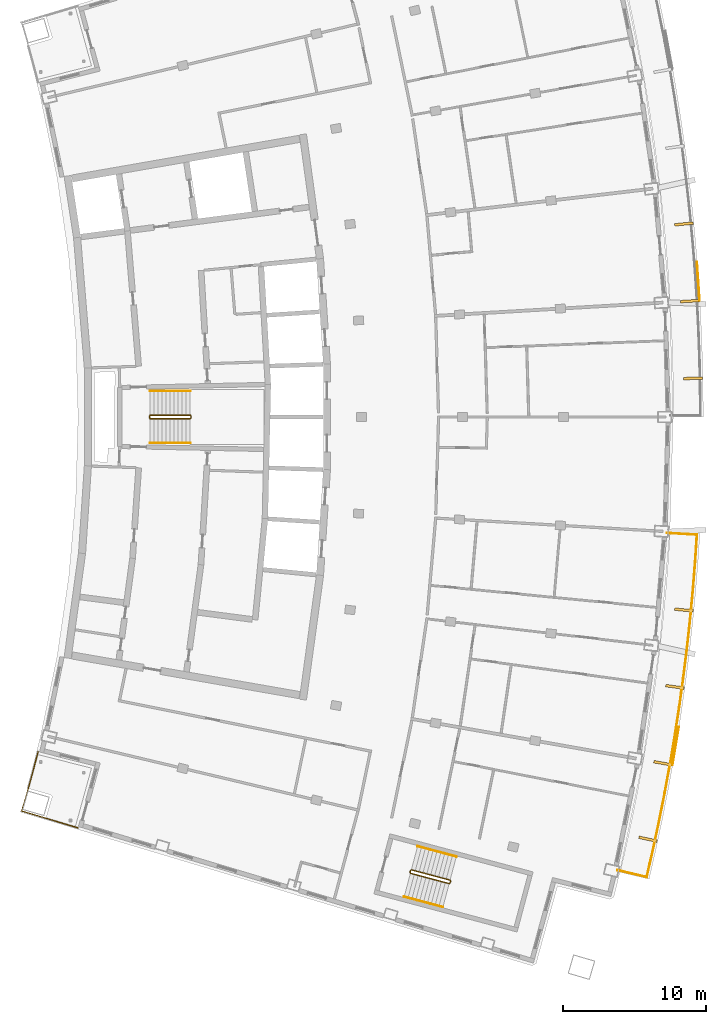
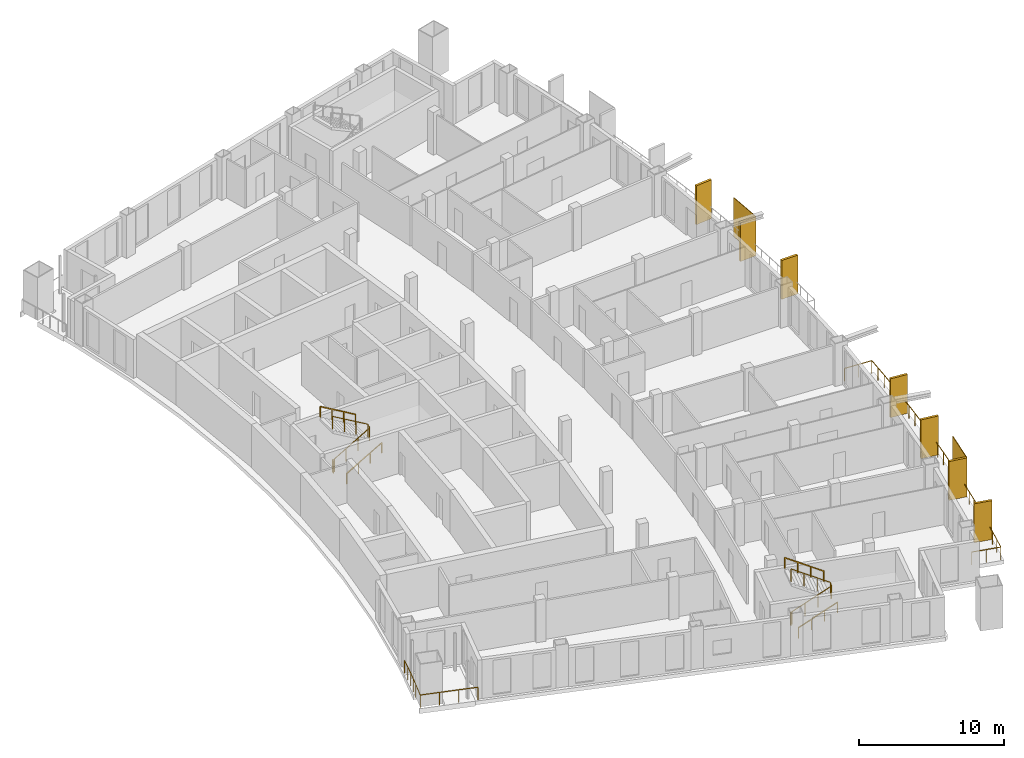
# One storey, part 14 of 15: 9 shading devices, 8 railings.
"""IFC4 building model written with IfcOpenShell, lengths in metres."""

import ifcopenshell
import ifcopenshell.guid

model = None  # the IFC model being written
_history = None  # IfcOwnerHistory: only IFC2X3 demands one
_inside = {}  # id of a spatial element -> (the spatial element, [elements in it])
_under = {}  # id of a project, library or spatial element -> (it, [spatial elements below it])
_declared = {}  # id of a project -> (the project, [libraries it declares])
_typed = {}  # id of a type object -> (the type object, [elements of that type])
_made_of = {}  # id of a material, layer set ... -> (it, [elements and type objects made of it])


def new_model(schema):
    """Start an empty IFC model of exactly this schema.

    Asked for "IFC4X3", IfcOpenShell would pick the latest addendum, in which some entities
    have other attributes; the version numbers below select the first issue.
    IFC2X3 requires an IfcOwnerHistory on every rooted entity: one is made here for all.
    """
    global model, _history
    if schema == "IFC4X3":
        model = ifcopenshell.file(schema_version=(4, 3, 0, 0))
    else:
        model = ifcopenshell.file(schema=schema)
    _inside.clear()
    _under.clear()
    _declared.clear()
    _typed.clear()
    _made_of.clear()
    _history = None
    if model.schema == "IFC2X3":
        org = make("IfcOrganization", Name="unknown")
        user = make(
            "IfcPersonAndOrganization",
            ThePerson=make("IfcPerson", FamilyName="unknown"),
            TheOrganization=org,
        )
        app = make(
            "IfcApplication",
            ApplicationDeveloper=org,
            Version="unknown",
            ApplicationFullName="unknown",
            ApplicationIdentifier="unknown",
        )
        _history = make(
            "IfcOwnerHistory",
            OwningUser=user,
            OwningApplication=app,
            ChangeAction="ADDED",
            CreationDate=0,
        )
    return model


def make(cls, **values):
    """One entity of the class cls with the attributes given. An attribute that is None is left unset."""
    return model.create_entity(
        cls, **{name: value for name, value in values.items() if value is not None}
    )


def rooted(cls, **values):
    """An entity with a GlobalId (a new one), such as an element, a storey or a relation."""
    return make(cls, GlobalId=ifcopenshell.guid.new(), OwnerHistory=_history, **values)


def si_unit(unit_type, name, prefix=None):
    """IfcSIUnit, for example si_unit("LENGTHUNIT", "METRE", prefix="MILLI")."""
    return make("IfcSIUnit", UnitType=unit_type, Prefix=prefix, Name=name)


def assignment(units):
    """IfcUnitAssignment: the units of a project."""
    return None if units is None else make("IfcUnitAssignment", Units=units)


def point(xyz):
    """IfcCartesianPoint."""
    return None if xyz is None else make("IfcCartesianPoint", Coordinates=xyz)


def direction(xyz):
    """IfcDirection."""
    return None if xyz is None else make("IfcDirection", DirectionRatios=xyz)


def frame(location, z_axis=None, x_axis=None):
    """IfcAxis2Placement3D, a coordinate frame: its origin and axes. An axis left out is left unset."""
    return make(
        "IfcAxis2Placement3D",
        Location=point(location),
        Axis=direction(z_axis),
        RefDirection=direction(x_axis),
    )


def frame_2d(location, x_axis=None):
    """IfcAxis2Placement2D, a coordinate frame in the plane: its origin and x axis."""
    return make(
        "IfcAxis2Placement2D", Location=point(location), RefDirection=direction(x_axis)
    )


def origin():
    """The frame at (0, 0, 0) with its axes left unset."""
    return frame((0.0, 0.0, 0.0))


def origin_with_axes():
    """The frame at (0, 0, 0) with the z axis (0, 0, 1) and the x axis (1, 0, 0) written out."""
    return frame((0.0, 0.0, 0.0), z_axis=(0.0, 0.0, 1.0), x_axis=(1.0, 0.0, 0.0))


def origin_2d():
    """The frame at (0, 0) in the plane with its x axis left unset."""
    return frame_2d((0.0, 0.0))


def place(relative_to, where):
    """IfcLocalPlacement: puts the frame where relative to a parent placement (None: the world)."""
    return make(
        "IfcLocalPlacement", PlacementRelTo=relative_to, RelativePlacement=where
    )


def context(
    kind, dimensions, precision=None, world=None, true_north=None, identifier=None
):
    """IfcGeometricRepresentationContext, for example the 3D "Model" context."""
    return make(
        "IfcGeometricRepresentationContext",
        ContextIdentifier=identifier,
        ContextType=kind,
        CoordinateSpaceDimension=dimensions,
        Precision=precision,
        WorldCoordinateSystem=world,
        TrueNorth=true_north,
    )


def subcontext(parent, identifier, kind, view, scale=None):
    """IfcGeometricRepresentationSubContext, for example "Body" below "Model"."""
    return make(
        "IfcGeometricRepresentationSubContext",
        ContextIdentifier=identifier,
        ContextType=kind,
        ParentContext=parent,
        TargetScale=scale,
        TargetView=view,
    )


def project(units=None, contexts=None):
    """IfcProject with its units and contexts."""
    return rooted(
        "IfcProject",
        Name="project",
        RepresentationContexts=contexts,
        UnitsInContext=assignment(units),
    )


def spatial(cls, under=None, at=None, **own):
    """A site, building, storey or space (cls), placed at a placement, below another one or the project."""
    s = rooted(cls, ObjectPlacement=at, **own)
    if under is not None:
        _under.setdefault(under.id(), (under, []))[1].append(s)
    return s


def profile(cls, at=None, kind="AREA", **sizes):
    """A parametric profile (cls). Its sizes go by their IFC names, for example OverallWidth=200.0."""
    return make(cls, ProfileType=kind, Position=at, **sizes)


def rectangle(**sizes):
    """IfcRectangleProfileDef."""
    return profile("IfcRectangleProfileDef", **sizes)


def extrude(swept, where, along, depth):
    """IfcExtrudedAreaSolid: the profile swept, set in the frame where, extruded along a direction by depth."""
    return make(
        "IfcExtrudedAreaSolid",
        SweptArea=swept,
        Position=where,
        ExtrudedDirection=direction(along),
        Depth=depth,
    )


def shape(context_of_items, identifier, shape_type, items):
    """IfcShapeRepresentation: the items that make up one representation, for example the "Body"."""
    return make(
        "IfcShapeRepresentation",
        ContextOfItems=context_of_items,
        RepresentationIdentifier=identifier,
        RepresentationType=shape_type,
        Items=items,
    )


def material(Name=None, Category=None):
    """IfcMaterial."""
    return make("IfcMaterial", Name=Name, Category=Category)


def layer(
    of_material, thickness, ventilated=None, Name=None, Category=None, Priority=None
):
    """IfcMaterialLayer: one layer of a wall or slab, of a material (None: an air gap)."""
    return make(
        "IfcMaterialLayer",
        Material=of_material,
        LayerThickness=thickness,
        IsVentilated=ventilated,
        Name=Name,
        Category=Category,
        Priority=Priority,
    )


def layer_set(layers, Name=None):
    """IfcMaterialLayerSet."""
    return make("IfcMaterialLayerSet", MaterialLayers=layers, LayerSetName=Name)


def made_of(thing, what):
    """Note that an element or type object is made of a material, layer set ...; save() writes the relation."""
    if what is not None:
        _made_of.setdefault(what.id(), (what, []))[1].append(thing)
    return thing


def type_object(cls, material=None, **own):
    """A type object (cls), such as IfcWallType, which elements share."""
    return made_of(rooted(cls, **own), material)


def element(
    cls,
    number,
    at=None,
    inside=None,
    cuts=None,
    type_object=None,
    material=None,
    context=None,
    identifier="Body",
    shape_type=None,
    held_by="IfcProductDefinitionShape",
    body=None,
    shapes=None,
    **own,
):
    """One element of the class cls, such as IfcWall. Its Tag is "e" and its number.

    at: its placement. inside: the storey or other place that contains it. cuts: it is an
    opening in that element (IfcRelVoidsElement). A single representation is given by context,
    identifier, shape_type and body (its items); several are given by shapes. held_by: the class
    of the entity that holds the representations. save() writes the other relations.
    """
    e = rooted(cls, Tag="e%d" % number, ObjectPlacement=at, **own)
    if body is not None:
        shapes = [shape(context, identifier, shape_type, body)]
    if shapes is not None:
        e.Representation = make(held_by, Representations=shapes)
    if inside is not None:
        _inside.setdefault(inside.id(), (inside, []))[1].append(e)
    if cuts is not None:
        rooted(
            "IfcRelVoidsElement", RelatingBuildingElement=cuts, RelatedOpeningElement=e
        )
    if type_object is not None:
        _typed.setdefault(type_object.id(), (type_object, []))[1].append(e)
    return made_of(e, material)


def aggregate(whole, parts):
    """IfcRelAggregates: a whole, such as a stair, and the parts it consists of."""
    return rooted("IfcRelAggregates", RelatingObject=whole, RelatedObjects=parts)


def save(model, path):
    """Write the relations noted so far, then the file.

    IfcRelAggregates (storeys below a building ...), IfcRelContainedInSpatialStructure (elements
    in a storey), IfcRelDefinesByType, IfcRelAssociatesMaterial and IfcRelDeclares: one each for
    every whole, place, type object, material and project.
    """
    for whole, parts in _under.values():
        aggregate(whole, parts)
    for where, things in _inside.values():
        rooted(
            "IfcRelContainedInSpatialStructure",
            RelatedElements=things,
            RelatingStructure=where,
        )
    for kind, things in _typed.values():
        rooted("IfcRelDefinesByType", RelatedObjects=things, RelatingType=kind)
    for what, things in _made_of.values():
        rooted("IfcRelAssociatesMaterial", RelatedObjects=things, RelatingMaterial=what)
    for by, libraries in _declared.values():
        rooted("IfcRelDeclares", RelatingContext=by, RelatedDefinitions=libraries)
    model.write(path)


model = new_model("IFC4")

# Units and contexts
model_context = context("Model", 3, precision=1e-05, world=origin(), true_north=direction((0.0, 1.0)))
body_context = subcontext(model_context, "Body", "Model", "MODEL_VIEW")
ifc_project = project(units=[si_unit("LENGTHUNIT", "METRE"), si_unit("AREAUNIT", "SQUARE_METRE"), si_unit("VOLUMEUNIT", "CUBIC_METRE"), si_unit("PLANEANGLEUNIT", "RADIAN"), si_unit("MASSUNIT", "GRAM", prefix="KILO")], contexts=[model_context])

# Site, building, storey
site_placement = place(None, origin())
site = spatial("IfcSite", under=ifc_project, at=site_placement, CompositionType="ELEMENT")
building_placement = place(site_placement, origin())
building = spatial("IfcBuilding", under=site, at=building_placement, Name="Alderwake Tower", CompositionType="ELEMENT")
storey_placement = place(building_placement, frame((0.0, 0.0, 249.199951171875)))
storey = spatial("IfcBuildingStorey", under=building, at=storey_placement, Name="L61", CompositionType="ELEMENT", Elevation=249.199951171875)

# Railings
ifc_material_1 = material(Name="Stainless steel 316 rail and posts", Category="steel")
railing_type_1 = type_object("IfcRailingType", Name="Balcony guard 1100", PredefinedType="GUARDRAIL", material=ifc_material_1)
railing_1_placement = place(storey_placement, frame((53.69921875, 29.325927734375, 0.0)))
element("IfcRailing", 1, at=railing_1_placement, inside=storey, type_object=railing_type_1, Name="Guard BF03", PredefinedType="GUARDRAIL", context=body_context, shape_type="SweptSolid", body=[
    extrude(rectangle(XDim=0.048095703125, YDim=0.048095703125, at=origin_2d()), frame((0.0, 0.0, 1.076171875), z_axis=(0.973069996158, -0.230509831846, 0.0), x_axis=(0.230509831846, 0.973069996158, 0.0)), (0.0, 0.0, 1.0), 2.100341796875),
    extrude(rectangle(XDim=0.048095703125, YDim=0.048095703125, at=origin_2d()), frame((2.043701171875, -0.484130859375, 1.076171875), z_axis=(0.223633448533, 0.974673319988, 0.0), x_axis=(-0.974673319988, 0.223633448533, 0.0)), (0.0, 0.0, 1.0), 1.9345703125),
    extrude(rectangle(XDim=0.048095703125, YDim=0.048095703125, at=origin_2d()), frame((2.476318359375, 1.4013671875, 1.076171875), z_axis=(0.209897885741, 0.977723313398, 0.0), x_axis=(-0.977723313398, 0.209897885741, 0.0)), (0.0, 0.0, 1.0), 2.034423828125),
    extrude(rectangle(XDim=0.048095703125, YDim=0.048095703125, at=origin_2d()), frame((2.9033203125, 3.390380859375, 1.076171875), z_axis=(0.195631417955, 0.980677494546, 0.0), x_axis=(-0.980677494546, 0.195631417955, 0.0)), (0.0, 0.0, 1.0), 2.0341796875),
    extrude(rectangle(XDim=0.048095703125, YDim=0.048095703125, at=origin_2d()), frame((3.30126953125, 5.38525390625, 1.076171875), z_axis=(0.181324306286, 0.983423355402, 0.0), x_axis=(-0.983423355402, 0.181324306286, 0.0)), (0.0, 0.0, 1.0), 2.034423828125),
    extrude(rectangle(XDim=0.048095703125, YDim=0.048095703125, at=origin_2d()), frame((3.670166015625, 7.385986328125, 1.076171875), z_axis=(0.166928302152, 0.985969037009, 0.0), x_axis=(-0.985969037009, 0.166928302152, 0.0)), (0.0, 0.0, 1.0), 2.034423828125),
    extrude(rectangle(XDim=0.048095703125, YDim=0.048095703125, at=origin_2d()), frame((4.009765625, 9.391845703125, 1.076171875), z_axis=(0.152535132968, 0.988298048774, 0.0), x_axis=(-0.988298048774, 0.152535132968, 0.0)), (0.0, 0.0, 1.0), 2.034423828125),
    extrude(rectangle(XDim=0.048095703125, YDim=0.048095703125, at=origin_2d()), frame((4.320068359375, 11.40234375, 1.076171875), z_axis=(0.138127592806, 0.990414442597, 0.0), x_axis=(-0.990414442597, 0.138127592806, 0.0)), (0.0, 0.0, 1.0), 2.034423828125),
    extrude(rectangle(XDim=0.048095703125, YDim=0.048095703125, at=origin_2d()), frame((4.60107421875, 13.417236328125, 1.076171875), z_axis=(0.123606393187, 0.992331325497, 0.0), x_axis=(-0.992331325497, 0.123606393187, 0.0)), (0.0, 0.0, 1.0), 2.034423828125),
    extrude(rectangle(XDim=0.048095703125, YDim=0.048095703125, at=origin_2d()), frame((4.8525390625, 15.43603515625, 1.076171875), z_axis=(0.109087913088, 0.994032105728, 0.0), x_axis=(-0.994032105728, 0.109087913088, 0.0)), (0.0, 0.0, 1.0), 2.034423828125),
    extrude(rectangle(XDim=0.048095703125, YDim=0.048095703125, at=origin_2d()), frame((5.074462890625, 17.458251953125, 1.076171875), z_axis=(0.094690157844, 0.995506792547, 0.0), x_axis=(-0.995506792547, 0.094690157844, 0.0)), (0.0, 0.0, 1.0), 2.0341796875),
    extrude(rectangle(XDim=0.048095703125, YDim=0.048095703125, at=origin_2d()), frame((5.26708984375, 19.4833984375, 1.076171875), z_axis=(0.080164954989, 0.996781610982, 0.0), x_axis=(-0.996781610982, 0.080164954989, 0.0)), (0.0, 0.0, 1.0), 2.034423828125),
    extrude(rectangle(XDim=0.048095703125, YDim=0.048095703125, at=origin_2d()), frame((5.43017578125, 21.51123046875, 1.076171875), z_axis=(0.065882355364, 0.997827397525, 0.0), x_axis=(-0.997827397525, 0.065882355364, 0.0)), (0.0, 0.0, 1.0), 1.934326171875),
    extrude(rectangle(XDim=0.048095703125, YDim=0.048095703125, at=origin_2d()), frame((5.5576171875, 23.44140625, 1.076171875), z_axis=(-0.998261521477, 0.05894009449, 0.0), x_axis=(-0.05894009449, -0.998261521477, 0.0)), (0.0, 0.0, 1.0), 2.10009765625),
    extrude(rectangle(XDim=0.0419921875, YDim=0.0419921875, at=origin_2d()), frame((0.0, 0.0, 0.0), z_axis=(0.0, 0.0, 1.0), x_axis=(0.973069996158, -0.230509831846, 0.0)), (0.0, 0.0, 1.0), 1.052001953125),
    extrude(rectangle(XDim=0.0419921875, YDim=0.0419921875, at=origin_2d()), frame((1.02197265625, -0.2421875, 0.0), z_axis=(0.0, 0.0, 1.0), x_axis=(0.973069996158, -0.230509831846, 0.0)), (0.0, 0.0, 1.0), 1.052001953125),
    extrude(rectangle(XDim=0.0419921875, YDim=0.0419921875, at=origin_2d()), frame((2.043701171875, -0.484130859375, 0.0), z_axis=(0.0, 0.0, 1.0), x_axis=(0.223633448533, 0.974673319988, 0.0)), (0.0, 0.0, 1.0), 1.052001953125),
    extrude(rectangle(XDim=0.0419921875, YDim=0.0419921875, at=origin_2d()), frame((2.260009765625, 0.45849609375, 0.0), z_axis=(0.0, 0.0, 1.0), x_axis=(0.223633448533, 0.974673319988, 0.0)), (0.0, 0.0, 1.0), 1.052001953125),
    extrude(rectangle(XDim=0.0419921875, YDim=0.0419921875, at=origin_2d()), frame((2.476318359375, 1.4013671875, 0.0), z_axis=(0.0, 0.0, 1.0), x_axis=(0.209897885741, 0.977723313398, 0.0)), (0.0, 0.0, 1.0), 1.052001953125),
    extrude(rectangle(XDim=0.0419921875, YDim=0.0419921875, at=origin_2d()), frame((2.68994140625, 2.39599609375, 0.0), z_axis=(0.0, 0.0, 1.0), x_axis=(0.209897885741, 0.977723313398, 0.0)), (0.0, 0.0, 1.0), 1.052001953125),
    extrude(rectangle(XDim=0.0419921875, YDim=0.0419921875, at=origin_2d()), frame((2.9033203125, 3.390380859375, 0.0), z_axis=(0.0, 0.0, 1.0), x_axis=(0.195631417955, 0.980677494546, 0.0)), (0.0, 0.0, 1.0), 1.052001953125),
    extrude(rectangle(XDim=0.0419921875, YDim=0.0419921875, at=origin_2d()), frame((3.102294921875, 4.3876953125, 0.0), z_axis=(0.0, 0.0, 1.0), x_axis=(0.195631417955, 0.980677494546, 0.0)), (0.0, 0.0, 1.0), 1.052001953125),
    extrude(rectangle(XDim=0.0419921875, YDim=0.0419921875, at=origin_2d()), frame((3.30126953125, 5.38525390625, 0.0), z_axis=(0.0, 0.0, 1.0), x_axis=(0.181324306286, 0.983423355402, 0.0)), (0.0, 0.0, 1.0), 1.052001953125),
    extrude(rectangle(XDim=0.0419921875, YDim=0.0419921875, at=origin_2d()), frame((3.48583984375, 6.3857421875, 0.0), z_axis=(0.0, 0.0, 1.0), x_axis=(0.181324306286, 0.983423355402, 0.0)), (0.0, 0.0, 1.0), 1.052001953125),
    extrude(rectangle(XDim=0.0419921875, YDim=0.0419921875, at=origin_2d()), frame((3.670166015625, 7.385986328125, 0.0), z_axis=(0.0, 0.0, 1.0), x_axis=(0.166928302152, 0.985969037009, 0.0)), (0.0, 0.0, 1.0), 1.052001953125),
    extrude(rectangle(XDim=0.0419921875, YDim=0.0419921875, at=origin_2d()), frame((3.83984375, 8.388916015625, 0.0), z_axis=(0.0, 0.0, 1.0), x_axis=(0.166928302152, 0.985969037009, 0.0)), (0.0, 0.0, 1.0), 1.052001953125),
    extrude(rectangle(XDim=0.0419921875, YDim=0.0419921875, at=origin_2d()), frame((4.009765625, 9.391845703125, 0.0), z_axis=(0.0, 0.0, 1.0), x_axis=(0.152535132968, 0.988298048774, 0.0)), (0.0, 0.0, 1.0), 1.052001953125),
    extrude(rectangle(XDim=0.0419921875, YDim=0.0419921875, at=origin_2d()), frame((4.1650390625, 10.39697265625, 0.0), z_axis=(0.0, 0.0, 1.0), x_axis=(0.152535132968, 0.988298048774, 0.0)), (0.0, 0.0, 1.0), 1.052001953125),
    extrude(rectangle(XDim=0.0419921875, YDim=0.0419921875, at=origin_2d()), frame((4.320068359375, 11.40234375, 0.0), z_axis=(0.0, 0.0, 1.0), x_axis=(0.138127592806, 0.990414442597, 0.0)), (0.0, 0.0, 1.0), 1.052001953125),
    extrude(rectangle(XDim=0.0419921875, YDim=0.0419921875, at=origin_2d()), frame((4.46044921875, 12.40966796875, 0.0), z_axis=(0.0, 0.0, 1.0), x_axis=(0.138127592806, 0.990414442597, 0.0)), (0.0, 0.0, 1.0), 1.052001953125),
    extrude(rectangle(XDim=0.0419921875, YDim=0.0419921875, at=origin_2d()), frame((4.60107421875, 13.417236328125, 0.0), z_axis=(0.0, 0.0, 1.0), x_axis=(0.123606393187, 0.992331325497, 0.0)), (0.0, 0.0, 1.0), 1.052001953125),
    extrude(rectangle(XDim=0.0419921875, YDim=0.0419921875, at=origin_2d()), frame((4.726806640625, 14.4267578125, 0.0), z_axis=(0.0, 0.0, 1.0), x_axis=(0.123606393187, 0.992331325497, 0.0)), (0.0, 0.0, 1.0), 1.052001953125),
    extrude(rectangle(XDim=0.0419921875, YDim=0.0419921875, at=origin_2d()), frame((4.8525390625, 15.43603515625, 0.0), z_axis=(0.0, 0.0, 1.0), x_axis=(0.109087913088, 0.994032105728, 0.0)), (0.0, 0.0, 1.0), 1.052001953125),
    extrude(rectangle(XDim=0.0419921875, YDim=0.0419921875, at=origin_2d()), frame((4.96337890625, 16.447265625, 0.0), z_axis=(0.0, 0.0, 1.0), x_axis=(0.109087913088, 0.994032105728, 0.0)), (0.0, 0.0, 1.0), 1.052001953125),
    extrude(rectangle(XDim=0.0419921875, YDim=0.0419921875, at=origin_2d()), frame((5.074462890625, 17.458251953125, 0.0), z_axis=(0.0, 0.0, 1.0), x_axis=(0.094690157844, 0.995506792547, 0.0)), (0.0, 0.0, 1.0), 1.052001953125),
    extrude(rectangle(XDim=0.0419921875, YDim=0.0419921875, at=origin_2d()), frame((5.1708984375, 18.470703125, 0.0), z_axis=(0.0, 0.0, 1.0), x_axis=(0.094690157844, 0.995506792547, 0.0)), (0.0, 0.0, 1.0), 1.052001953125),
    extrude(rectangle(XDim=0.0419921875, YDim=0.0419921875, at=origin_2d()), frame((5.26708984375, 19.4833984375, 0.0), z_axis=(0.0, 0.0, 1.0), x_axis=(0.080164954989, 0.996781610982, 0.0)), (0.0, 0.0, 1.0), 1.052001953125),
    extrude(rectangle(XDim=0.0419921875, YDim=0.0419921875, at=origin_2d()), frame((5.3486328125, 20.497314453125, 0.0), z_axis=(0.0, 0.0, 1.0), x_axis=(0.080164954989, 0.996781610982, 0.0)), (0.0, 0.0, 1.0), 1.052001953125),
    extrude(rectangle(XDim=0.0419921875, YDim=0.0419921875, at=origin_2d()), frame((5.43017578125, 21.51123046875, 0.0), z_axis=(0.0, 0.0, 1.0), x_axis=(0.065882355364, 0.997827397525, 0.0)), (0.0, 0.0, 1.0), 1.052001953125),
    extrude(rectangle(XDim=0.0419921875, YDim=0.0419921875, at=origin_2d()), frame((5.493896484375, 22.476318359375, 0.0), z_axis=(0.0, 0.0, 1.0), x_axis=(0.065882355364, 0.997827397525, 0.0)), (0.0, 0.0, 1.0), 1.052001953125),
    extrude(rectangle(XDim=0.0419921875, YDim=0.0419921875, at=origin_2d()), frame((5.5576171875, 23.44140625, 0.0), z_axis=(0.0, 0.0, 1.0), x_axis=(-0.998261521477, 0.05894009449, 0.0)), (0.0, 0.0, 1.0), 1.052001953125),
    extrude(rectangle(XDim=0.0419921875, YDim=0.0419921875, at=origin_2d()), frame((4.50927734375, 23.50341796875, 0.0), z_axis=(0.0, 0.0, 1.0), x_axis=(-0.998261521477, 0.05894009449, 0.0)), (0.0, 0.0, 1.0), 1.052001953125),
    extrude(rectangle(XDim=0.0419921875, YDim=0.0419921875, at=origin_2d()), frame((3.461181640625, 23.565185546875, 0.0), z_axis=(0.0, 0.0, 1.0), x_axis=(-0.998261521477, 0.05894009449, 0.0)), (0.0, 0.0, 1.0), 1.052001953125),
])
railing_2_placement = place(storey_placement, frame((13.210693359375, 37.612548828125, 0.0)))
element("IfcRailing", 2, at=railing_2_placement, inside=storey, type_object=railing_type_1, Name="Guard terrace RS", PredefinedType="GUARDRAIL", context=body_context, shape_type="SweptSolid", body=[
    extrude(rectangle(XDim=0.048095703125, YDim=0.048095703125, at=origin_2d()), frame((0.0, 0.0, 1.076171875), z_axis=(-0.251385381433, -0.967887075026, 0.0), x_axis=(0.967887075026, -0.251385381433, 0.0)), (0.0, 0.0, 1.0), 1.6015625),
    extrude(rectangle(XDim=0.048095703125, YDim=0.048095703125, at=origin_2d()), frame((-0.402587890625, -1.550048828125, 1.076171875), z_axis=(-0.266520638672, -0.963829211615, 0.0), x_axis=(0.963829211615, -0.266520638672, 0.0)), (0.0, 0.0, 1.0), 1.401611328125),
    extrude(rectangle(XDim=0.048095703125, YDim=0.048095703125, at=origin_2d()), frame((-0.776123046875, -2.90087890625, 1.076171875), z_axis=(-0.280093650878, -0.959972680204, 0.0), x_axis=(0.959972680204, -0.280093650878, 0.0)), (0.0, 0.0, 1.0), 1.30126953125),
    extrude(rectangle(XDim=0.048095703125, YDim=0.048095703125, at=origin_2d()), frame((-1.140625, -4.150146484375, 1.076171875), z_axis=(0.958066871889, -0.286544706789, 0.0), x_axis=(0.286544706789, 0.958066871889, 0.0)), (0.0, 0.0, 1.0), 4.099853515625),
    extrude(rectangle(XDim=0.0419921875, YDim=0.0419921875, at=origin_2d()), frame((0.0, 0.0, 0.0), z_axis=(0.0, 0.0, 1.0), x_axis=(-0.251385381433, -0.967887075026, 0.0)), (0.0, 0.0, 1.0), 1.052001953125),
    extrude(rectangle(XDim=0.0419921875, YDim=0.0419921875, at=origin_2d()), frame((-0.201171875, -0.77490234375, 0.0), z_axis=(0.0, 0.0, 1.0), x_axis=(-0.251385381433, -0.967887075026, 0.0)), (0.0, 0.0, 1.0), 1.052001953125),
    extrude(rectangle(XDim=0.0419921875, YDim=0.0419921875, at=origin_2d()), frame((-0.402587890625, -1.550048828125, 0.0), z_axis=(0.0, 0.0, 1.0), x_axis=(-0.266520638672, -0.963829211615, 0.0)), (0.0, 0.0, 1.0), 1.052001953125),
    extrude(rectangle(XDim=0.0419921875, YDim=0.0419921875, at=origin_2d()), frame((-0.58935546875, -2.2255859375, 0.0), z_axis=(0.0, 0.0, 1.0), x_axis=(-0.266520638672, -0.963829211615, 0.0)), (0.0, 0.0, 1.0), 1.052001953125),
    extrude(rectangle(XDim=0.0419921875, YDim=0.0419921875, at=origin_2d()), frame((-0.776123046875, -2.90087890625, 0.0), z_axis=(0.0, 0.0, 1.0), x_axis=(-0.280093650878, -0.959972680204, 0.0)), (0.0, 0.0, 1.0), 1.052001953125),
    extrude(rectangle(XDim=0.0419921875, YDim=0.0419921875, at=origin_2d()), frame((-1.140625, -4.150146484375, 0.0), z_axis=(0.0, 0.0, 1.0), x_axis=(0.958066871889, -0.286544706789, 0.0)), (0.0, 0.0, 1.0), 1.052001953125),
    extrude(rectangle(XDim=0.0419921875, YDim=0.0419921875, at=origin_2d()), frame((0.168701171875, -4.541748046875, 0.0), z_axis=(0.0, 0.0, 1.0), x_axis=(0.958066871889, -0.286544706789, 0.0)), (0.0, 0.0, 1.0), 1.052001953125),
    extrude(rectangle(XDim=0.0419921875, YDim=0.0419921875, at=origin_2d()), frame((1.47802734375, -4.933349609375, 0.0), z_axis=(0.0, 0.0, 1.0), x_axis=(0.958066871889, -0.286544706789, 0.0)), (0.0, 0.0, 1.0), 1.052001953125),
    extrude(rectangle(XDim=0.0419921875, YDim=0.0419921875, at=origin_2d()), frame((2.787353515625, -5.324951171875, 0.0), z_axis=(0.0, 0.0, 1.0), x_axis=(0.958066871889, -0.286544706789, 0.0)), (0.0, 0.0, 1.0), 1.052001953125),
])

# Shading devices
ifc_material_2 = material(Name="Bronze anodised aluminium", Category="aluminium")
ifc_layer_1 = layer(ifc_material_2, 0.179931640625)
ifc_layer_set_1 = layer_set([ifc_layer_1], Name="Facade fin 1300")
shading_device_type_1 = type_object("IfcShadingDeviceType", Name="Facade fin 1300", PredefinedType="USERDEFINED", material=ifc_layer_set_1)
for number, where, z_axis, x_axis, name in (
    (3, (55.832275390625, 31.494140625, 0.0), (0.0, 0.0, 1.0), (0.977210363881, -0.212273184185, 0.0), "Fin"),
    (4, (56.876953125, 36.799072265625, 0.0), (0.0, 0.0, 1.0), (0.984726421654, -0.174108800747, 0.0), "Fin"),
    (5, (57.714599609375, 42.140380859375, 0.0), (0.0, 0.0, 1.0), (0.990752577235, -0.135680988728, 0.0), "Fin"),
    (6, (58.343994140625, 47.510498046875, 0.0), (0.0, 0.0, 1.0), (0.995279882363, -0.097046152751, 0.0), "Fin"),
    (7, (58.973876953125, 63.6962890625, 0.0), (0.0, 0.0, 1.0), (0.999811838809, 0.019398117887, 0.0), "Fin"),
    (8, (58.763916015625, 69.09912109375, 0.0), (0.0, 0.0, 1.0), (0.998301080988, 0.058266214038, 0.0), "Fin"),
    (9, (58.343994140625, 74.489501953125, 0.0), (0.0, 0.0, 1.0), (0.995279882363, 0.097046152751, 0.0), "Fin"),
):
    element("IfcShadingDevice", number, at=place(storey_placement, frame(where, z_axis=z_axis, x_axis=x_axis)), inside=storey, type_object=shading_device_type_1, Name=name, ObjectType="FIN", PredefinedType="USERDEFINED", context=body_context, shape_type="SweptSolid", body=[
        extrude(rectangle(XDim=1.300048828125, YDim=0.179931640625, at=origin_2d()), origin(), (0.0, 0.0, 1.0), 3.280029296875),
    ])
ifc_material_3 = material(Name="Perforated bronze anodised aluminium", Category="aluminium")
ifc_layer_2 = layer(ifc_material_3, 0.050048828125)
ifc_layer_set_2 = layer_set([ifc_layer_2], Name="Perforated screen panel")
shading_device_type_2 = type_object("IfcShadingDeviceType", Name="Perforated screen panel", PredefinedType="USERDEFINED", material=ifc_layer_set_2)
shading_device_1_placement = place(storey_placement, frame((57.7646484375, 38.017822265625, 0.0), z_axis=(0.0, 0.0, 1.0), x_axis=(0.986369013299, -0.164548380739, 0.0)))
element("IfcShadingDevice", 10, at=shading_device_1_placement, inside=storey, type_object=shading_device_type_2, Name="Screen panel", ObjectType="SCREEN", PredefinedType="USERDEFINED", context=body_context, shape_type="SweptSolid", body=[
    extrude(rectangle(XDim=0.050048828125, YDim=2.709716796875, at=origin_2d()), origin(), (0.0, 0.0, 1.0), 3.280029296875),
])
shading_device_2_placement = place(storey_placement, frame((59.34521484375, 70.4970703125, 0.0), z_axis=(0.0, 0.0, 1.0), x_axis=(0.997685465774, 0.067997877779, 0.0)))
element("IfcShadingDevice", 11, at=shading_device_2_placement, inside=storey, type_object=shading_device_type_2, Name="Screen panel", ObjectType="SCREEN", PredefinedType="USERDEFINED", context=body_context, shape_type="SweptSolid", body=[
    extrude(rectangle(XDim=0.050048828125, YDim=2.7236328125, at=origin_2d()), origin(), (0.0, 0.0, 1.0), 3.280029296875),
])

# Railings
ifc_material_4 = material(Name="Stainless steel guard", Category="steel")
railing_type_2 = type_object("IfcRailingType", Name="Stair guard 1100", PredefinedType="GUARDRAIL", material=ifc_material_4)
railing_3_placement = place(storey_placement, frame((20.989990234375, 60.925048828125, 0.0)))
element("IfcRailing", 12, at=railing_3_placement, inside=storey, type_object=railing_type_2, Name="L61 ST-B stair guard 1", PredefinedType="GUARDRAIL", context=body_context, shape_type="SweptSolid", body=[
    extrude(rectangle(XDim=0.048095703125, YDim=0.048095703125, at=origin_2d()), frame((0.0, 0.0, 1.076171875), z_axis=(0.0, 1.0, 0.0), x_axis=(-1.0, 0.0, 0.0)), (0.0, 0.0, 1.0), 0.14990234375),
    extrude(rectangle(XDim=0.048095703125, YDim=0.048095703125, at=origin_2d()), frame((0.0, 0.14990234375, 1.076171875), z_axis=(0.190199549216, -0.759870394187, 0.621627795), x_axis=(0.970072785993, 0.242814311512, 0.0)), (0.0, 0.0, 1.0), 0.26318359375),
    extrude(rectangle(XDim=0.048095703125, YDim=0.048095703125, at=origin_2d()), frame((0.050048828125, -0.050048828125, 1.23974609375), z_axis=(0.863360870873, 0.0, 0.504586966384), x_axis=(0.0, 1.0, 0.0)), (0.0, 0.0, 1.0), 3.2431640625),
    extrude(rectangle(XDim=0.048095703125, YDim=0.048095703125, at=origin_2d()), frame((2.85009765625, -0.050048828125, 2.8759765625), z_axis=(0.705375805398, 0.708833529934, 0.0), x_axis=(-0.708833529934, 0.705375805398, 0.0)), (0.0, 0.0, 1.0), 0.070556640625),
    extrude(rectangle(XDim=0.048095703125, YDim=0.048095703125, at=origin_2d()), frame((2.89990234375, 0.0, 2.8759765625), z_axis=(0.0, 1.0, 0.0), x_axis=(-1.0, 0.0, 0.0)), (0.0, 0.0, 1.0), 0.14990234375),
    extrude(rectangle(XDim=0.048095703125, YDim=0.048095703125, at=origin_2d()), frame((2.89990234375, 0.14990234375, 2.8759765625), z_axis=(-0.279546231943, 0.280916556609, 0.91811752648), x_axis=(-0.708833529934, -0.705375805398, 0.0)), (0.0, 0.0, 1.0), 0.17822265625),
    extrude(rectangle(XDim=0.048095703125, YDim=0.048095703125, at=origin_2d()), frame((2.85009765625, 0.199951171875, 3.03955078125), z_axis=(-0.863360870873, 0.0, 0.504586966384), x_axis=(0.0, -1.0, 0.0)), (0.0, 0.0, 1.0), 3.2431640625),
    extrude(rectangle(XDim=0.0419921875, YDim=0.0419921875, at=origin_2d()), frame((0.0, 0.0, 0.0), z_axis=(0.0, 0.0, 1.0), x_axis=(0.0, 1.0, 0.0)), (0.0, 0.0, 1.0), 1.052001953125),
    extrude(rectangle(XDim=0.0419921875, YDim=0.0419921875, at=origin_2d()), frame((0.0, 0.14990234375, 0.0), z_axis=(0.0, 0.0, 1.0), x_axis=(0.242814311512, -0.970072785993, 0.0)), (0.0, 0.0, 1.0), 1.052001953125),
    extrude(rectangle(XDim=0.0419921875, YDim=0.0419921875, at=origin_2d()), frame((0.050048828125, -0.050048828125, 0.16357421875), z_axis=(0.0, 0.0, 1.0), x_axis=(1.0, 0.0, 0.0)), (0.0, 0.0, 1.0), 1.052001953125),
    extrude(rectangle(XDim=0.0419921875, YDim=0.0419921875, at=origin_2d()), frame((0.9833984375, -0.050048828125, 0.708984375), z_axis=(0.0, 0.0, 1.0), x_axis=(1.0, 0.0, 0.0)), (0.0, 0.0, 1.0), 1.052001953125),
    extrude(rectangle(XDim=0.0419921875, YDim=0.0419921875, at=origin_2d()), frame((1.916748046875, -0.050048828125, 1.254638671875), z_axis=(0.0, 0.0, 1.0), x_axis=(1.0, 0.0, 0.0)), (0.0, 0.0, 1.0), 1.052001953125),
    extrude(rectangle(XDim=0.0419921875, YDim=0.0419921875, at=origin_2d()), frame((2.85009765625, -0.050048828125, 1.800048828125), z_axis=(0.0, 0.0, 1.0), x_axis=(0.705375805398, 0.708833529934, 0.0)), (0.0, 0.0, 1.0), 1.052001953125),
    extrude(rectangle(XDim=0.0419921875, YDim=0.0419921875, at=origin_2d()), frame((2.89990234375, 0.0, 1.800048828125), z_axis=(0.0, 0.0, 1.0), x_axis=(0.0, 1.0, 0.0)), (0.0, 0.0, 1.0), 1.052001953125),
    extrude(rectangle(XDim=0.0419921875, YDim=0.0419921875, at=origin_2d()), frame((2.89990234375, 0.14990234375, 1.800048828125), z_axis=(0.0, 0.0, 1.0), x_axis=(-0.705375805398, 0.708833529934, 0.0)), (0.0, 0.0, 1.0), 1.052001953125),
    extrude(rectangle(XDim=0.0419921875, YDim=0.0419921875, at=origin_2d()), frame((2.85009765625, 0.199951171875, 1.963623046875), z_axis=(0.0, 0.0, 1.0), x_axis=(-1.0, 0.0, 0.0)), (0.0, 0.0, 1.0), 1.052001953125),
    extrude(rectangle(XDim=0.0419921875, YDim=0.0419921875, at=origin_2d()), frame((1.916748046875, 0.199951171875, 2.509033203125), z_axis=(0.0, 0.0, 1.0), x_axis=(-1.0, 0.0, 0.0)), (0.0, 0.0, 1.0), 1.052001953125),
    extrude(rectangle(XDim=0.0419921875, YDim=0.0419921875, at=origin_2d()), frame((0.9833984375, 0.199951171875, 3.0546875), z_axis=(0.0, 0.0, 1.0), x_axis=(-1.0, 0.0, 0.0)), (0.0, 0.0, 1.0), 1.052001953125),
    extrude(rectangle(XDim=0.0419921875, YDim=0.0419921875, at=origin_2d()), frame((0.050048828125, 0.199951171875, 3.60009765625), z_axis=(0.0, 0.0, 1.0), x_axis=(-1.0, 0.0, 0.0)), (0.0, 0.0, 1.0), 1.052001953125),
])
railing_4_placement = place(storey_placement, frame((39.1943359375, 29.17431640625, 0.0)))
element("IfcRailing", 13, at=railing_4_placement, inside=storey, type_object=railing_type_2, Name="L61 ST-C stair guard 1", PredefinedType="GUARDRAIL", context=body_context, shape_type="SweptSolid", body=[
    extrude(rectangle(XDim=0.048095703125, YDim=0.048095703125, at=origin_2d()), frame((0.0, 0.0, 1.076171875), z_axis=(0.257459803502, 0.966289009345, 0.0), x_axis=(-0.966289009345, 0.257459803502, 0.0)), (0.0, 0.0, 1.0), 0.14990234375),
    extrude(rectangle(XDim=0.048095703125, YDim=0.048095703125, at=origin_2d()), frame((0.03857421875, 0.144775390625, 1.076171875), z_axis=(-0.012062893862, -0.783160186125, 0.621702991355), x_axis=(0.999881397308, -0.015401016783, 0.0)), (0.0, 0.0, 1.0), 0.26318359375),
    extrude(rectangle(XDim=0.048095703125, YDim=0.048095703125, at=origin_2d()), frame((0.035400390625, -0.061279296875, 1.23974609375), z_axis=(0.834281824786, -0.222214197128, 0.504573768072), x_axis=(0.257380452725, 0.966310148221, 0.0)), (0.0, 0.0, 1.0), 3.2431640625),
    extrude(rectangle(XDim=0.048095703125, YDim=0.048095703125, at=origin_2d()), frame((2.7412109375, -0.781982421875, 2.8759765625), z_axis=(0.865031189262, 0.501718089772, 0.0), x_axis=(-0.501718089772, 0.865031189262, 0.0)), (0.0, 0.0, 1.0), 0.070556640625),
    extrude(rectangle(XDim=0.048095703125, YDim=0.048095703125, at=origin_2d()), frame((2.80224609375, -0.74658203125, 2.8759765625), z_axis=(0.257055032184, 0.966396766566, 0.0), x_axis=(-0.966396766566, 0.257055032184, 0.0)), (0.0, 0.0, 1.0), 0.150146484375),
    extrude(rectangle(XDim=0.048095703125, YDim=0.048095703125, at=origin_2d()), frame((2.8408203125, -0.6015625, 2.8759765625), z_axis=(-0.198625291617, 0.343827228937, 0.91778583023), x_axis=(-0.865898279276, -0.500220121494, 0.0)), (0.0, 0.0, 1.0), 0.17822265625),
    extrude(rectangle(XDim=0.048095703125, YDim=0.048095703125, at=origin_2d()), frame((2.805419921875, -0.540283203125, 3.03955078125), z_axis=(-0.834258940753, 0.22222815314, 0.504605457487), x_axis=(-0.257402139082, -0.966304371715, 0.0)), (0.0, 0.0, 1.0), 3.2431640625),
    extrude(rectangle(XDim=0.0419921875, YDim=0.0419921875, at=origin_2d()), frame((0.0, 0.0, 0.0), z_axis=(0.0, 0.0, 1.0), x_axis=(0.257459803502, 0.966289009345, 0.0)), (0.0, 0.0, 1.0), 1.052001953125),
    extrude(rectangle(XDim=0.0419921875, YDim=0.0419921875, at=origin_2d()), frame((0.03857421875, 0.144775390625, 0.0), z_axis=(0.0, 0.0, 1.0), x_axis=(-0.015401016783, -0.999881397308, 0.0)), (0.0, 0.0, 1.0), 1.052001953125),
    extrude(rectangle(XDim=0.0419921875, YDim=0.0419921875, at=origin_2d()), frame((0.035400390625, -0.061279296875, 0.16357421875), z_axis=(0.0, 0.0, 1.0), x_axis=(0.966310148221, -0.257380452725, 0.0)), (0.0, 0.0, 1.0), 1.052001953125),
    extrude(rectangle(XDim=0.0419921875, YDim=0.0419921875, at=origin_2d()), frame((0.937255859375, -0.301513671875, 0.708984375), z_axis=(0.0, 0.0, 1.0), x_axis=(0.966310148221, -0.257380452725, 0.0)), (0.0, 0.0, 1.0), 1.052001953125),
    extrude(rectangle(XDim=0.0419921875, YDim=0.0419921875, at=origin_2d()), frame((1.83935546875, -0.541748046875, 1.254638671875), z_axis=(0.0, 0.0, 1.0), x_axis=(0.966310148221, -0.257380452725, 0.0)), (0.0, 0.0, 1.0), 1.052001953125),
    extrude(rectangle(XDim=0.0419921875, YDim=0.0419921875, at=origin_2d()), frame((2.7412109375, -0.781982421875, 1.800048828125), z_axis=(0.0, 0.0, 1.0), x_axis=(0.865031189262, 0.501718089772, 0.0)), (0.0, 0.0, 1.0), 1.052001953125),
    extrude(rectangle(XDim=0.0419921875, YDim=0.0419921875, at=origin_2d()), frame((2.80224609375, -0.74658203125, 1.800048828125), z_axis=(0.0, 0.0, 1.0), x_axis=(0.257055032184, 0.966396766566, 0.0)), (0.0, 0.0, 1.0), 1.052001953125),
    extrude(rectangle(XDim=0.0419921875, YDim=0.0419921875, at=origin_2d()), frame((2.8408203125, -0.6015625, 1.800048828125), z_axis=(0.0, 0.0, 1.0), x_axis=(-0.500220121494, 0.865898279276, 0.0)), (0.0, 0.0, 1.0), 1.052001953125),
    extrude(rectangle(XDim=0.0419921875, YDim=0.0419921875, at=origin_2d()), frame((2.805419921875, -0.540283203125, 1.963623046875), z_axis=(0.0, 0.0, 1.0), x_axis=(-0.966304371715, 0.257402139082, 0.0)), (0.0, 0.0, 1.0), 1.052001953125),
    extrude(rectangle(XDim=0.0419921875, YDim=0.0419921875, at=origin_2d()), frame((1.903564453125, -0.300048828125, 2.509033203125), z_axis=(0.0, 0.0, 1.0), x_axis=(-0.966304371715, 0.257402139082, 0.0)), (0.0, 0.0, 1.0), 1.052001953125),
    extrude(rectangle(XDim=0.0419921875, YDim=0.0419921875, at=origin_2d()), frame((1.001708984375, -0.059814453125, 3.0546875), z_axis=(0.0, 0.0, 1.0), x_axis=(-0.966304371715, 0.257402139082, 0.0)), (0.0, 0.0, 1.0), 1.052001953125),
    extrude(rectangle(XDim=0.0419921875, YDim=0.0419921875, at=origin_2d()), frame((0.099853515625, 0.180419921875, 3.60009765625), z_axis=(0.0, 0.0, 1.0), x_axis=(-0.966304371715, 0.257402139082, 0.0)), (0.0, 0.0, 1.0), 1.052001953125),
])
ifc_material_5 = material(Name="Stainless steel handrail", Category="steel")
railing_type_3 = type_object("IfcRailingType", Name="Stair handrail 900", PredefinedType="HANDRAIL", material=ifc_material_5)
railing_5_placement = place(storey_placement, frame((21.0400390625, 59.175048828125, 0.16357421875)))
element("IfcRailing", 14, at=railing_5_placement, inside=storey, type_object=railing_type_3, Name="L61 ST-B stair handrail 1", PredefinedType="HANDRAIL", context=body_context, shape_type="SweptSolid", body=[
    extrude(rectangle(XDim=0.048095703125, YDim=0.048095703125, at=origin_2d()), frame((0.0, 0.0, 0.8759765625), z_axis=(0.863360870873, 0.0, 0.504586966384), x_axis=(0.0, 1.0, 0.0)), (0.0, 0.0, 1.0), 3.2431640625),
    extrude(rectangle(XDim=0.0419921875, YDim=0.0419921875, at=origin_2d()), origin_with_axes(), (0.0, 0.0, 1.0), 0.851806640625),
    extrude(rectangle(XDim=0.0419921875, YDim=0.0419921875, at=origin_2d()), frame((0.933349609375, 0.0, 0.54541015625), z_axis=(0.0, 0.0, 1.0), x_axis=(1.0, 0.0, 0.0)), (0.0, 0.0, 1.0), 0.851806640625),
    extrude(rectangle(XDim=0.0419921875, YDim=0.0419921875, at=origin_2d()), frame((1.86669921875, 0.0, 1.091064453125), z_axis=(0.0, 0.0, 1.0), x_axis=(1.0, 0.0, 0.0)), (0.0, 0.0, 1.0), 0.851806640625),
    extrude(rectangle(XDim=0.0419921875, YDim=0.0419921875, at=origin_2d()), frame((2.800048828125, 0.0, 1.636474609375), z_axis=(0.0, 0.0, 1.0), x_axis=(1.0, 0.0, 0.0)), (0.0, 0.0, 1.0), 0.851806640625),
])
railing_6_placement = place(storey_placement, frame((23.840087890625, 62.824951171875, 1.963623046875)))
element("IfcRailing", 15, at=railing_6_placement, inside=storey, type_object=railing_type_3, Name="L61 ST-B stair handrail 2", PredefinedType="HANDRAIL", context=body_context, shape_type="SweptSolid", body=[
    extrude(rectangle(XDim=0.048095703125, YDim=0.048095703125, at=origin_2d()), frame((0.0, 0.0, 0.8759765625), z_axis=(-0.863360870873, 0.0, 0.504586966384), x_axis=(0.0, -1.0, 0.0)), (0.0, 0.0, 1.0), 3.2431640625),
    extrude(rectangle(XDim=0.0419921875, YDim=0.0419921875, at=origin_2d()), frame((0.0, 0.0, 0.0), z_axis=(0.0, 0.0, 1.0), x_axis=(-1.0, 0.0, 0.0)), (0.0, 0.0, 1.0), 0.851806640625),
    extrude(rectangle(XDim=0.0419921875, YDim=0.0419921875, at=origin_2d()), frame((-0.933349609375, 0.0, 0.54541015625), z_axis=(0.0, 0.0, 1.0), x_axis=(-1.0, 0.0, 0.0)), (0.0, 0.0, 1.0), 0.851806640625),
    extrude(rectangle(XDim=0.0419921875, YDim=0.0419921875, at=origin_2d()), frame((-1.86669921875, 0.0, 1.091064453125), z_axis=(0.0, 0.0, 1.0), x_axis=(-1.0, 0.0, 0.0)), (0.0, 0.0, 1.0), 0.851806640625),
    extrude(rectangle(XDim=0.0419921875, YDim=0.0419921875, at=origin_2d()), frame((-2.800048828125, 0.0, 1.636474609375), z_axis=(0.0, 0.0, 1.0), x_axis=(-1.0, 0.0, 0.0)), (0.0, 0.0, 1.0), 0.851806640625),
])
railing_7_placement = place(storey_placement, frame((38.792236328125, 27.47021484375, 0.16357421875)))
element("IfcRailing", 16, at=railing_7_placement, inside=storey, type_object=railing_type_3, Name="L61 ST-C stair handrail 1", PredefinedType="HANDRAIL", context=body_context, shape_type="SweptSolid", body=[
    extrude(rectangle(XDim=0.048095703125, YDim=0.048095703125, at=origin_2d()), frame((0.0, 0.0, 0.8759765625), z_axis=(0.834272895437, -0.222156588561, 0.504613898043), x_axis=(0.25732071773, 0.966326056891, 0.0)), (0.0, 0.0, 1.0), 3.242919921875),
    extrude(rectangle(XDim=0.0419921875, YDim=0.0419921875, at=origin_2d()), frame((0.0, 0.0, 0.0), z_axis=(0.0, 0.0, 1.0), x_axis=(0.966326056891, -0.25732071773, 0.0)), (0.0, 0.0, 1.0), 0.851806640625),
    extrude(rectangle(XDim=0.0419921875, YDim=0.0419921875, at=origin_2d()), frame((0.90185546875, -0.240234375, 0.54541015625), z_axis=(0.0, 0.0, 1.0), x_axis=(0.966326056891, -0.25732071773, 0.0)), (0.0, 0.0, 1.0), 0.851806640625),
    extrude(rectangle(XDim=0.0419921875, YDim=0.0419921875, at=origin_2d()), frame((1.8037109375, -0.480224609375, 1.091064453125), z_axis=(0.0, 0.0, 1.0), x_axis=(0.966326056891, -0.25732071773, 0.0)), (0.0, 0.0, 1.0), 0.851806640625),
    extrude(rectangle(XDim=0.0419921875, YDim=0.0419921875, at=origin_2d()), frame((2.70556640625, -0.720458984375, 1.636474609375), z_axis=(0.0, 0.0, 1.0), x_axis=(0.966326056891, -0.25732071773, 0.0)), (0.0, 0.0, 1.0), 0.851806640625),
])
railing_8_placement = place(storey_placement, frame((42.437255859375, 30.276611328125, 1.963623046875)))
element("IfcRailing", 17, at=railing_8_placement, inside=storey, type_object=railing_type_3, Name="L61 ST-C stair handrail 2", PredefinedType="HANDRAIL", context=body_context, shape_type="SweptSolid", body=[
    extrude(rectangle(XDim=0.048095703125, YDim=0.048095703125, at=origin_2d()), frame((0.0, 0.0, 0.8759765625), z_axis=(-0.834258940753, 0.22222815314, 0.504605457487), x_axis=(-0.257402139082, -0.966304371715, 0.0)), (0.0, 0.0, 1.0), 3.2431640625),
    extrude(rectangle(XDim=0.0419921875, YDim=0.0419921875, at=origin_2d()), frame((0.0, 0.0, 0.0), z_axis=(0.0, 0.0, 1.0), x_axis=(-0.966304371715, 0.257402139082, 0.0)), (0.0, 0.0, 1.0), 0.851806640625),
    extrude(rectangle(XDim=0.0419921875, YDim=0.0419921875, at=origin_2d()), frame((-0.90185546875, 0.240234375, 0.54541015625), z_axis=(0.0, 0.0, 1.0), x_axis=(-0.966304371715, 0.257402139082, 0.0)), (0.0, 0.0, 1.0), 0.851806640625),
    extrude(rectangle(XDim=0.0419921875, YDim=0.0419921875, at=origin_2d()), frame((-1.8037109375, 0.48046875, 1.091064453125), z_axis=(0.0, 0.0, 1.0), x_axis=(-0.966304371715, 0.257402139082, 0.0)), (0.0, 0.0, 1.0), 0.851806640625),
    extrude(rectangle(XDim=0.0419921875, YDim=0.0419921875, at=origin_2d()), frame((-2.70556640625, 0.720703125, 1.636474609375), z_axis=(0.0, 0.0, 1.0), x_axis=(-0.966304371715, 0.257402139082, 0.0)), (0.0, 0.0, 1.0), 0.851806640625),
])

save(model, "model.ifc")
